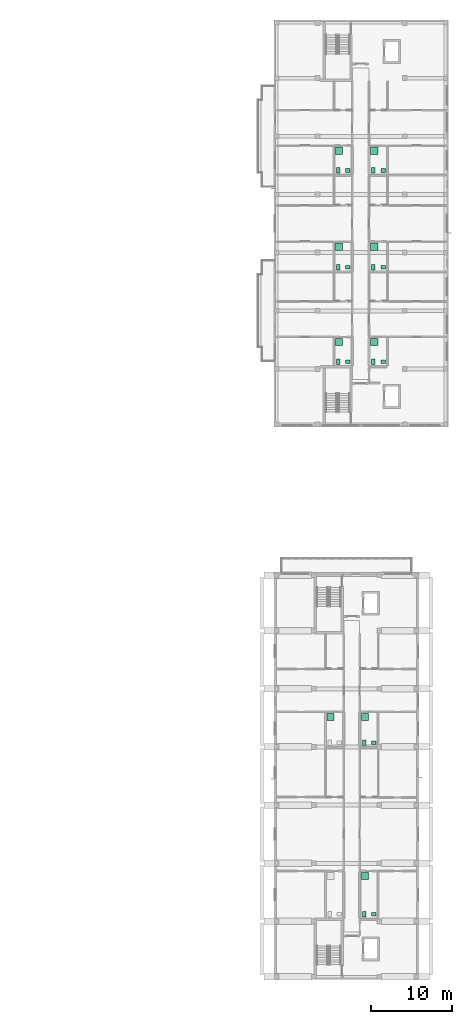
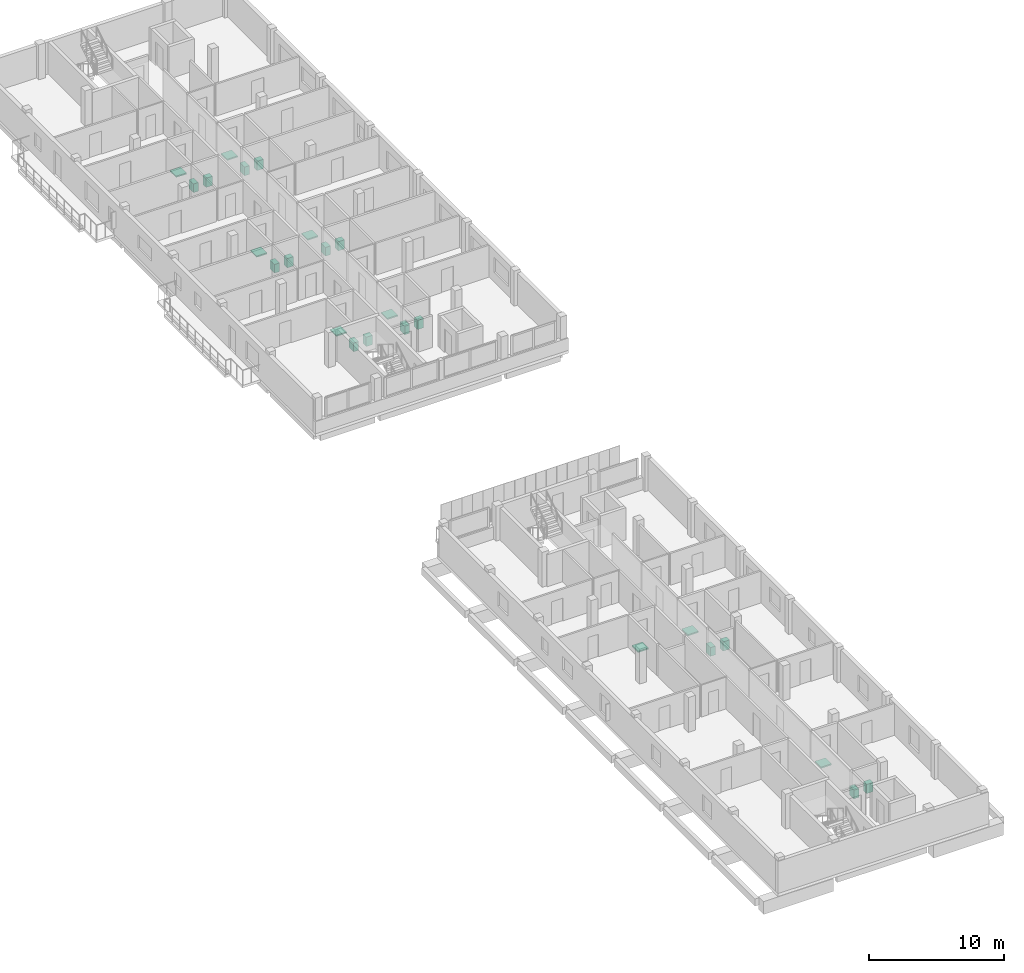
# One storey, part 41 of 41: 25 sanitary terminals.
"""IFC4 building model written with IfcOpenShell, lengths in metres."""

from ifc_helpers import new_model, si_unit, derived_unit, direction, frame, origin, origin_2d, place, context, subcontext, project, spatial, rectangle, extrude, material, type_object, element, save


model = new_model("IFC4")

# Units and contexts
model_context = context("Model", 3, precision=1e-05, world=origin(), true_north=direction((0.0, 1.0)))
body_context = subcontext(model_context, "Body", "Model", "MODEL_VIEW")
ifc_project = project(units=[si_unit("LENGTHUNIT", "METRE"), si_unit("AREAUNIT", "SQUARE_METRE"), si_unit("VOLUMEUNIT", "CUBIC_METRE"), si_unit("PLANEANGLEUNIT", "RADIAN"), si_unit("MASSUNIT", "GRAM", prefix="KILO"), derived_unit("THERMALTRANSMITTANCEUNIT", [(si_unit("MASSUNIT", "GRAM", prefix="KILO"), 1), (si_unit("TIMEUNIT", "SECOND"), -3), (si_unit("THERMODYNAMICTEMPERATUREUNIT", "KELVIN"), -1)])], contexts=[model_context])

# Site, building, storey
site_placement = place(None, origin())
site = spatial("IfcSite", under=ifc_project, at=site_placement, CompositionType="ELEMENT")
building_placement = place(site_placement, origin())
building = spatial("IfcBuilding", under=site, at=building_placement, Name="Ochrekiln Boulevard Commons", CompositionType="ELEMENT")
storey_placement = place(building_placement, frame((0.0, 0.0, 21.52490234375)))
storey = spatial("IfcBuildingStorey", under=building, at=storey_placement, Name="L06", CompositionType="ELEMENT", Elevation=21.52490234375)

# Sanitary terminals
ifc_material = material(Name="Vitreous china sanitaryware")
sanitary_terminal_type_1 = type_object("IfcSanitaryTerminalType", Name="SAN-BAS", PredefinedType="WASHHANDBASIN", material=ifc_material)
for number, where, z_axis, x_axis, name in (
    (1, (160.3701171875, 76.5, 0.0), (0.0, 0.0, 1.0), (1.0, 0.0, 0.0), "L06 Washhand Basin Fixture"),
    (2, (160.3701171875, 88.2060546875, 0.0), (0.0, 0.0, 1.0), (1.0, 0.0, 0.0), "L06 Washhand Basin Fixture"),
    (3, (160.3701171875, 100.174072265625, 0.0), (0.0, 0.0, 1.0), (1.0, 0.0, 0.0), "L06 Washhand Basin Fixture"),
    (4, (164.72998046875, 76.5, 0.0), (0.0, 0.0, 1.0), (1.0, 0.0, 0.0), "L06 Washhand Basin Fixture"),
    (5, (164.72998046875, 88.2060546875, 0.0), (0.0, 0.0, 1.0), (1.0, 0.0, 0.0), "L06 Washhand Basin Fixture"),
    (6, (164.72998046875, 100.174072265625, 0.0), (0.0, 0.0, 1.0), (1.0, 0.0, 0.0), "L06 Washhand Basin Fixture"),
    (7, (163.580078125, 8.10009765625, 0.0), (0.0, 0.0, 1.0), (1.0, 0.0, 0.0), "L06 Washhand Basin Fixture"),
    (8, (163.580078125, 29.31005859375, 0.0), (0.0, 0.0, 1.0), (1.0, 0.0, 0.0), "L06 Washhand Basin Fixture"),
):
    element("IfcSanitaryTerminal", number, at=place(storey_placement, frame(where, z_axis=z_axis, x_axis=x_axis)), inside=storey, type_object=sanitary_terminal_type_1, Name=name, PredefinedType="WASHHANDBASIN", context=body_context, shape_type="SweptSolid", body=[
        extrude(rectangle(XDim=0.550048828125, YDim=0.4599609375, at=origin_2d()), origin(), (0.0, 0.0, 1.0), 0.840087890625),
    ])
sanitary_terminal_type_2 = type_object("IfcSanitaryTerminalType", Name="SAN-SHW", PredefinedType="SHOWER", material=ifc_material)
for number, where, z_axis, x_axis, name in (
    (9, (159.27001953125, 78.943115234375, 0.0), (0.0, 0.0, 1.0), (1.0, 0.0, 0.0), "L06 Shower Receptor"),
    (10, (159.27001953125, 90.72998046875, 0.0), (0.0, 0.0, 1.0), (1.0, 0.0, 0.0), "L06 Shower Receptor"),
    (11, (159.27001953125, 102.616943359375, 0.0), (0.0, 0.0, 1.0), (1.0, 0.0, 0.0), "L06 Shower Receptor"),
    (12, (163.6298828125, 78.943115234375, 0.0), (0.0, 0.0, 1.0), (1.0, 0.0, 0.0), "L06 Shower Receptor"),
    (13, (163.6298828125, 90.72998046875, 0.0), (0.0, 0.0, 1.0), (1.0, 0.0, 0.0), "L06 Shower Receptor"),
    (14, (163.6298828125, 102.616943359375, 0.0), (0.0, 0.0, 1.0), (1.0, 0.0, 0.0), "L06 Shower Receptor"),
    (15, (158.219970703125, 32.51708984375, 0.0), (0.0, 0.0, 1.0), (1.0, 0.0, 0.0), "L06 Shower Receptor"),
    (16, (162.47998046875, 12.820068359375, 0.0), (0.0, 0.0, 1.0), (1.0, 0.0, 0.0), "L06 Shower Receptor"),
    (17, (162.47998046875, 32.51708984375, 0.0), (0.0, 0.0, 1.0), (1.0, 0.0, 0.0), "L06 Shower Receptor"),
):
    element("IfcSanitaryTerminal", number, at=place(storey_placement, frame(where, z_axis=z_axis, x_axis=x_axis)), inside=storey, type_object=sanitary_terminal_type_2, Name=name, PredefinedType="SHOWER", context=body_context, shape_type="SweptSolid", body=[
        extrude(rectangle(XDim=0.89990234375, YDim=0.89990234375, at=origin_2d()), origin(), (0.0, 0.0, 1.0), 0.1201171875),
    ])
sanitary_terminal_type_3 = type_object("IfcSanitaryTerminalType", Name="SAN-WC", PredefinedType="TOILETPAN", material=ifc_material)
for number, where, z_axis, x_axis, name in (
    (18, (159.169921875, 76.5, 0.0), (0.0, 0.0, 1.0), (1.0, 0.0, 0.0), "L06 Water Closet Fixture"),
    (19, (159.169921875, 88.2060546875, 0.0), (0.0, 0.0, 1.0), (1.0, 0.0, 0.0), "L06 Water Closet Fixture"),
    (20, (159.169921875, 100.174072265625, 0.0), (0.0, 0.0, 1.0), (1.0, 0.0, 0.0), "L06 Water Closet Fixture"),
    (21, (163.530029296875, 76.5, 0.0), (0.0, 0.0, 1.0), (1.0, 0.0, 0.0), "L06 Water Closet Fixture"),
    (22, (163.530029296875, 88.2060546875, 0.0), (0.0, 0.0, 1.0), (1.0, 0.0, 0.0), "L06 Water Closet Fixture"),
    (23, (163.530029296875, 100.174072265625, 0.0), (0.0, 0.0, 1.0), (1.0, 0.0, 0.0), "L06 Water Closet Fixture"),
    (24, (162.3798828125, 8.10009765625, 0.0), (0.0, 0.0, 1.0), (1.0, 0.0, 0.0), "L06 Water Closet Fixture"),
    (25, (162.3798828125, 29.31005859375, 0.0), (0.0, 0.0, 1.0), (1.0, 0.0, 0.0), "L06 Water Closet Fixture"),
):
    element("IfcSanitaryTerminal", number, at=place(storey_placement, frame(where, z_axis=z_axis, x_axis=x_axis)), inside=storey, type_object=sanitary_terminal_type_3, Name=name, PredefinedType="TOILETPAN", context=body_context, shape_type="SweptSolid", body=[
        extrude(rectangle(XDim=0.419921875, YDim=0.679931640625, at=origin_2d()), origin(), (0.0, 0.0, 1.0), 0.780029296875),
    ])

save(model, "model.ifc")
